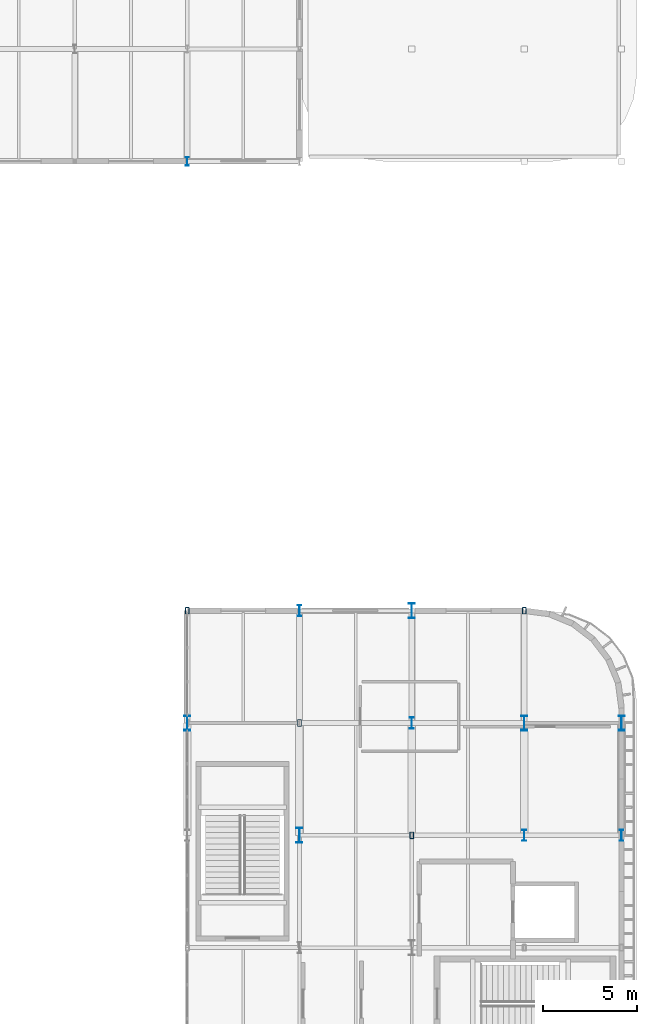
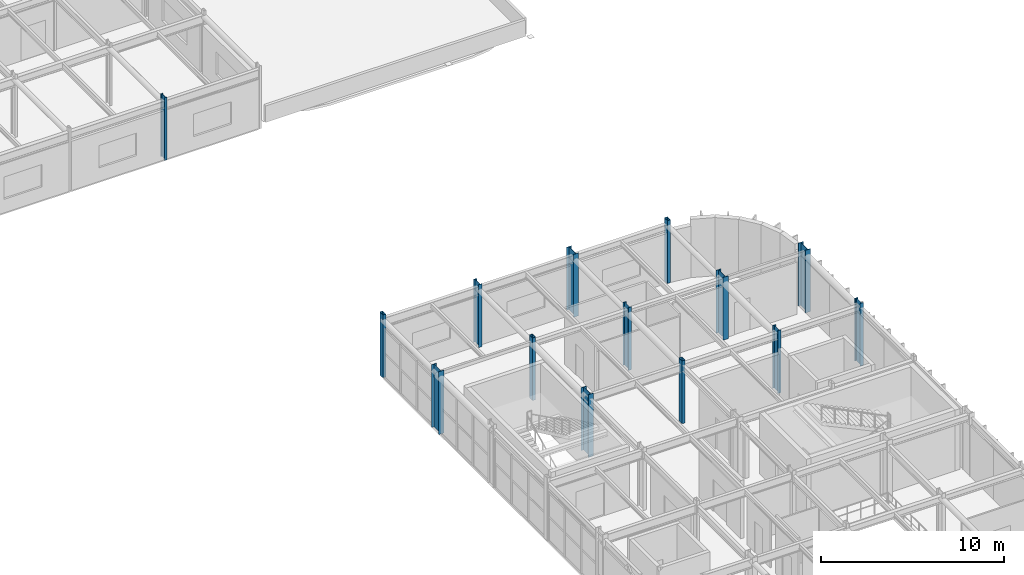
# One storey, part 23 of 116: 14 columns.
"""IFC4 building model written with IfcOpenShell, lengths in metres."""

from ifc_helpers import new_model, si_unit, direction, frame, origin, origin_2d, place, context, subcontext, project, spatial, hollow_rectangle, i_section, extrude, material, material_profile, profile_set, type_object, element, save


model = new_model("IFC4")

# Units and contexts
model_context = context("Model", 3, precision=1e-05, world=origin(), true_north=direction((0.0, 1.0)))
body_context = subcontext(model_context, "Body", "Model", "MODEL_VIEW")
ifc_project = project(units=[si_unit("LENGTHUNIT", "METRE"), si_unit("AREAUNIT", "SQUARE_METRE"), si_unit("VOLUMEUNIT", "CUBIC_METRE"), si_unit("PLANEANGLEUNIT", "RADIAN"), si_unit("MASSUNIT", "GRAM", prefix="KILO")], contexts=[model_context])

# Site, building, storey
site_placement = place(None, origin())
site = spatial("IfcSite", under=ifc_project, at=site_placement, CompositionType="ELEMENT")
building_placement = place(site_placement, origin())
building = spatial("IfcBuilding", under=site, at=building_placement, Name="Varnakota Square Police Headquarters", CompositionType="ELEMENT")
storey_placement = place(building_placement, frame((0.0, 0.0, 9.300048828125)))
storey = spatial("IfcBuildingStorey", under=building, at=storey_placement, Name="L02", CompositionType="ELEMENT", Elevation=9.300048828125)

# Columns
ifc_material = material(Name="Steel IS 2062 Grade 350", Category="steel")
ifc_material_profile_1 = material_profile(ifc_material, i_section(OverallWidth=0.320068359375, OverallDepth=0.800048828125, WebThickness=0.01611328125, FlangeThickness=0.028076171875, at=origin_2d()), Name="BPG 800x320")
ifc_profile_set_1 = profile_set([ifc_material_profile_1], Name="Steel IS 2062 Grade 350")
column_type_1 = type_object("IfcColumnType", Name="COL-BPG800", PredefinedType="COLUMN", material=ifc_profile_set_1)
for number, where, z_axis, x_axis, name in (
    (1, (138.0, 39.0, 0.0), (0.0, 0.0, 1.0), (1.0, 0.0, 0.0), "Column X1380-Y0390 L02"),
    (2, (144.0, 33.0, 0.0), (0.0, 0.0, 1.0), (1.0, 0.0, 0.0), "Column X1440-Y0330 L02"),
    (3, (150.0, 45.0, 0.0), (0.0, 0.0, 1.0), (1.0, 0.0, 0.0), "Column X1500-Y0450 L02"),
    (4, (156.0, 39.0, 0.0), (0.0, 0.0, 1.0), (1.0, 0.0, 0.0), "Column X1560-Y0390 L02"),
    (5, (161.199951171875, 39.0, 0.0), (0.0, 0.0, 1.0), (1.0, 0.0, 0.0), "Column X1612-Y0390 L02"),
):
    element("IfcColumn", number, at=place(storey_placement, frame(where, z_axis=z_axis, x_axis=x_axis)), inside=storey, type_object=column_type_1, Name=name, PredefinedType="COLUMN", context=body_context, shape_type="SweptSolid", body=[
        extrude(i_section(OverallWidth=0.320068359375, OverallDepth=0.800048828125, WebThickness=0.01611328125, FlangeThickness=0.028076171875, at=origin_2d()), origin(), (0.0, 0.0, 1.0), 4.199951171875),
    ])
ifc_material_profile_2 = material_profile(ifc_material, i_section(OverallWidth=0.14990234375, OverallDepth=0.449951171875, WebThickness=0.009521484375, FlangeThickness=0.017333984375, FilletRadius=0.014892578125, at=origin_2d()), Name="ISMB 450")
ifc_profile_set_2 = profile_set([ifc_material_profile_2], Name="Steel IS 2062 Grade 350")
column_type_2 = type_object("IfcColumnType", Name="COL-ISMB450", PredefinedType="COLUMN", material=ifc_profile_set_2)
column_placement = place(storey_placement, frame((138.0, 69.0, 0.0), z_axis=(0.0, 0.0, 1.0), x_axis=(1.0, 0.0, 0.0)))
element("IfcColumn", 6, at=column_placement, inside=storey, type_object=column_type_2, Name="Column X1380-Y0690 L02", PredefinedType="COLUMN", context=body_context, shape_type="SweptSolid", body=[
    extrude(i_section(OverallWidth=0.14990234375, OverallDepth=0.449951171875, WebThickness=0.009521484375, FlangeThickness=0.017333984375, FilletRadius=0.014892578125, at=origin_2d()), origin(), (0.0, 0.0, 1.0), 4.199951171875),
])
ifc_material_profile_3 = material_profile(ifc_material, i_section(OverallWidth=0.2099609375, OverallDepth=0.60009765625, WebThickness=0.011962890625, FlangeThickness=0.020751953125, FilletRadius=0.02001953125, at=origin_2d()), Name="ISMB 600")
ifc_profile_set_3 = profile_set([ifc_material_profile_3], Name="Steel IS 2062 Grade 350")
column_type_3 = type_object("IfcColumnType", Name="COL-ISMB600", PredefinedType="COLUMN", material=ifc_profile_set_3)
for number, where, z_axis, x_axis, name in (
    (7, (144.0, 45.0, 0.0), (0.0, 0.0, 1.0), (1.0, 0.0, 0.0), "Column X1440-Y0450 L02"),
    (8, (150.0, 39.0, 0.0), (0.0, 0.0, 1.0), (1.0, 0.0, 0.0), "Column X1500-Y0390 L02"),
    (9, (156.0, 33.0, 0.0), (0.0, 0.0, 1.0), (1.0, 0.0, 0.0), "Column X1560-Y0330 L02"),
    (10, (161.199951171875, 33.0, 0.0), (0.0, 0.0, 1.0), (1.0, 0.0, 0.0), "Column X1612-Y0330 L02"),
):
    element("IfcColumn", number, at=place(storey_placement, frame(where, z_axis=z_axis, x_axis=x_axis)), inside=storey, type_object=column_type_3, Name=name, PredefinedType="COLUMN", context=body_context, shape_type="SweptSolid", body=[
        extrude(i_section(OverallWidth=0.2099609375, OverallDepth=0.60009765625, WebThickness=0.011962890625, FlangeThickness=0.020751953125, FilletRadius=0.02001953125, at=origin_2d()), origin(), (0.0, 0.0, 1.0), 4.199951171875),
    ])
ifc_material_profile_4 = material_profile(ifc_material, hollow_rectangle(XDim=0.199951171875, YDim=0.35009765625, WallThickness=0.011962890625, InnerFilletRadius=0.011962890625, OuterFilletRadius=0.02392578125, at=origin_2d()), Name="RHS 350x200x12")
ifc_profile_set_4 = profile_set([ifc_material_profile_4], Name="Steel IS 2062 Grade 350")
column_type_4 = type_object("IfcColumnType", Name="COL-RHS350", PredefinedType="COLUMN", material=ifc_profile_set_4)
for number, where, z_axis, x_axis, name in (
    (11, (138.0, 45.0, 0.0), (0.0, 0.0, 1.0), (1.0, 0.0, 0.0), "Column X1380-Y0450 L02"),
    (12, (144.0, 39.0, 0.0), (0.0, 0.0, 1.0), (1.0, 0.0, 0.0), "Column X1440-Y0390 L02"),
    (13, (150.0, 33.0, 0.0), (0.0, 0.0, 1.0), (1.0, 0.0, 0.0), "Column X1500-Y0330 L02"),
    (14, (156.0, 45.0, 0.0), (0.0, 0.0, 1.0), (1.0, 0.0, 0.0), "Column X1560-Y0450 L02"),
):
    element("IfcColumn", number, at=place(storey_placement, frame(where, z_axis=z_axis, x_axis=x_axis)), inside=storey, type_object=column_type_4, Name=name, PredefinedType="COLUMN", context=body_context, shape_type="SweptSolid", body=[
        extrude(hollow_rectangle(XDim=0.199951171875, YDim=0.35009765625, WallThickness=0.011962890625, InnerFilletRadius=0.011962890625, OuterFilletRadius=0.02392578125, at=origin_2d()), origin(), (0.0, 0.0, 1.0), 4.199951171875),
    ])

save(model, "model.ifc")
